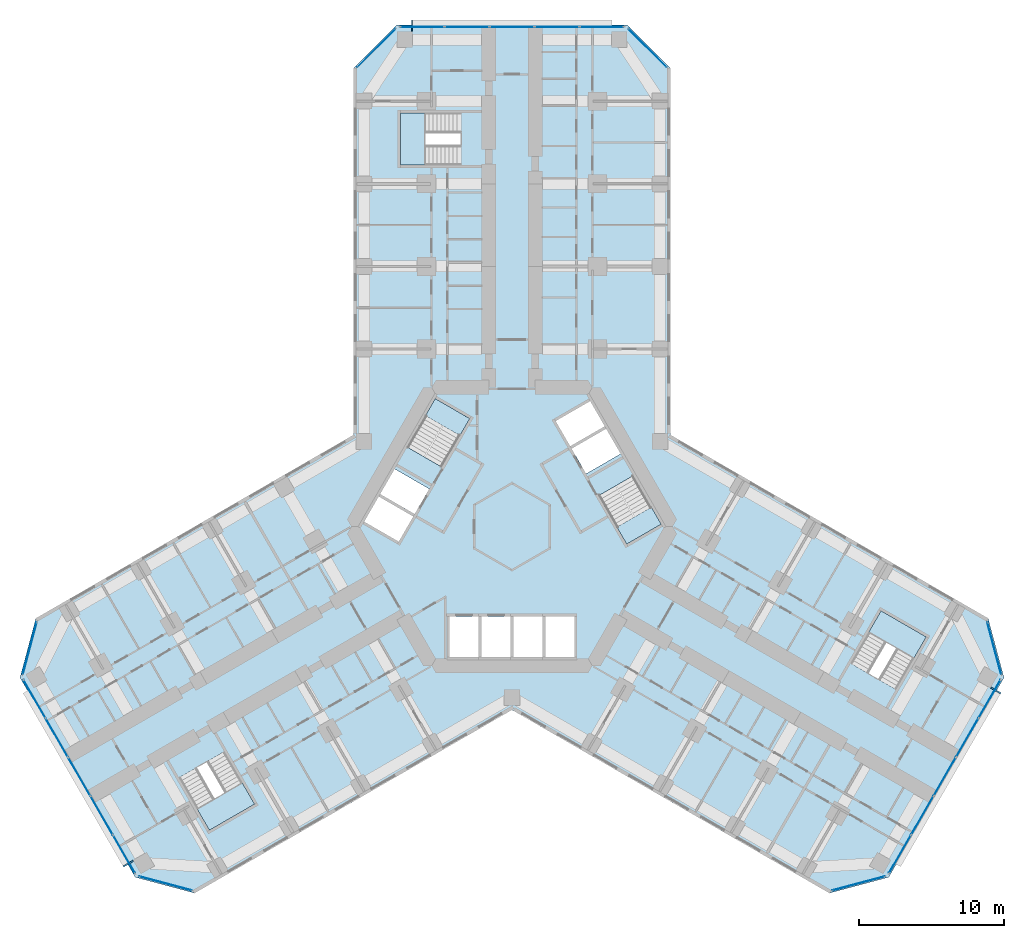
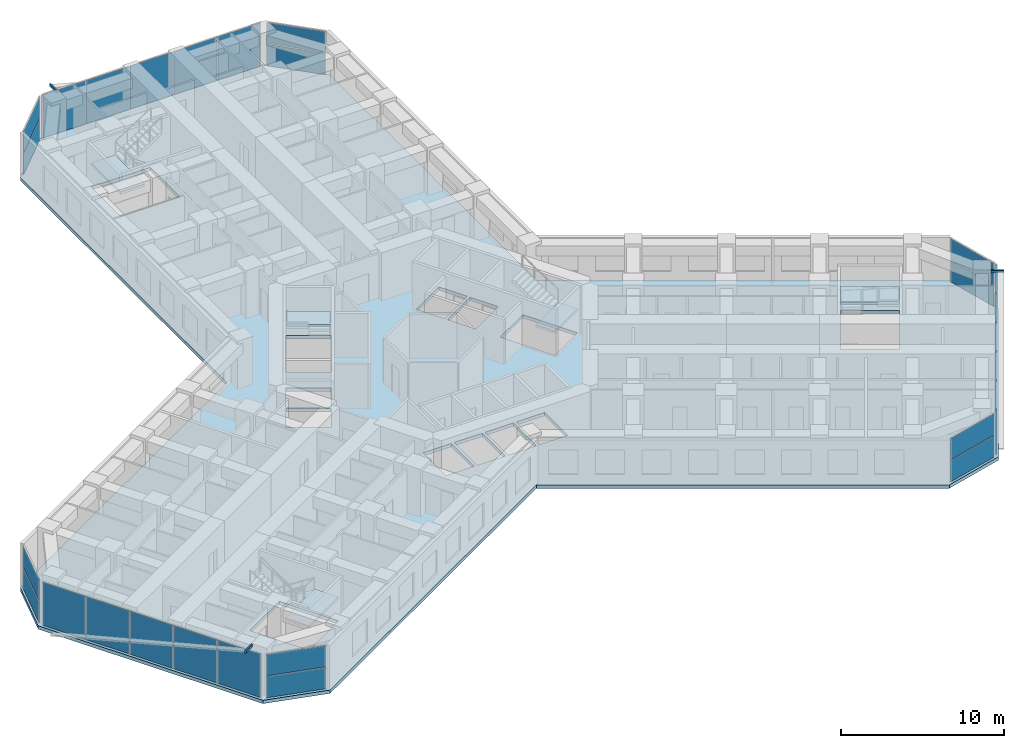
# One storey, part 9 of 21: 27 plates, 6 slabs, 3 members, 14 elements without a shape of their own.
"""IFC4 building model written with IfcOpenShell, lengths in metres."""

import ifcopenshell
import ifcopenshell.guid

model = None  # the IFC model being written
_history = None  # IfcOwnerHistory: only IFC2X3 demands one
_inside = {}  # id of a spatial element -> (the spatial element, [elements in it])
_under = {}  # id of a project, library or spatial element -> (it, [spatial elements below it])
_declared = {}  # id of a project -> (the project, [libraries it declares])
_typed = {}  # id of a type object -> (the type object, [elements of that type])
_made_of = {}  # id of a material, layer set ... -> (it, [elements and type objects made of it])


def new_model(schema):
    """Start an empty IFC model of exactly this schema.

    Asked for "IFC4X3", IfcOpenShell would pick the latest addendum, in which some entities
    have other attributes; the version numbers below select the first issue.
    IFC2X3 requires an IfcOwnerHistory on every rooted entity: one is made here for all.
    """
    global model, _history
    if schema == "IFC4X3":
        model = ifcopenshell.file(schema_version=(4, 3, 0, 0))
    else:
        model = ifcopenshell.file(schema=schema)
    _inside.clear()
    _under.clear()
    _declared.clear()
    _typed.clear()
    _made_of.clear()
    _history = None
    if model.schema == "IFC2X3":
        org = make("IfcOrganization", Name="unknown")
        user = make(
            "IfcPersonAndOrganization",
            ThePerson=make("IfcPerson", FamilyName="unknown"),
            TheOrganization=org,
        )
        app = make(
            "IfcApplication",
            ApplicationDeveloper=org,
            Version="unknown",
            ApplicationFullName="unknown",
            ApplicationIdentifier="unknown",
        )
        _history = make(
            "IfcOwnerHistory",
            OwningUser=user,
            OwningApplication=app,
            ChangeAction="ADDED",
            CreationDate=0,
        )
    return model


def make(cls, **values):
    """One entity of the class cls with the attributes given. An attribute that is None is left unset."""
    return model.create_entity(
        cls, **{name: value for name, value in values.items() if value is not None}
    )


def rooted(cls, **values):
    """An entity with a GlobalId (a new one), such as an element, a storey or a relation."""
    return make(cls, GlobalId=ifcopenshell.guid.new(), OwnerHistory=_history, **values)


def si_unit(unit_type, name, prefix=None):
    """IfcSIUnit, for example si_unit("LENGTHUNIT", "METRE", prefix="MILLI")."""
    return make("IfcSIUnit", UnitType=unit_type, Prefix=prefix, Name=name)


def assignment(units):
    """IfcUnitAssignment: the units of a project."""
    return None if units is None else make("IfcUnitAssignment", Units=units)


def point(xyz):
    """IfcCartesianPoint."""
    return None if xyz is None else make("IfcCartesianPoint", Coordinates=xyz)


def direction(xyz):
    """IfcDirection."""
    return None if xyz is None else make("IfcDirection", DirectionRatios=xyz)


def frame(location, z_axis=None, x_axis=None):
    """IfcAxis2Placement3D, a coordinate frame: its origin and axes. An axis left out is left unset."""
    return make(
        "IfcAxis2Placement3D",
        Location=point(location),
        Axis=direction(z_axis),
        RefDirection=direction(x_axis),
    )


def frame_2d(location, x_axis=None):
    """IfcAxis2Placement2D, a coordinate frame in the plane: its origin and x axis."""
    return make(
        "IfcAxis2Placement2D", Location=point(location), RefDirection=direction(x_axis)
    )


def origin():
    """The frame at (0, 0, 0) with its axes left unset."""
    return frame((0.0, 0.0, 0.0))


def origin_2d():
    """The frame at (0, 0) in the plane with its x axis left unset."""
    return frame_2d((0.0, 0.0))


def place(relative_to, where):
    """IfcLocalPlacement: puts the frame where relative to a parent placement (None: the world)."""
    return make(
        "IfcLocalPlacement", PlacementRelTo=relative_to, RelativePlacement=where
    )


def context(
    kind, dimensions, precision=None, world=None, true_north=None, identifier=None
):
    """IfcGeometricRepresentationContext, for example the 3D "Model" context."""
    return make(
        "IfcGeometricRepresentationContext",
        ContextIdentifier=identifier,
        ContextType=kind,
        CoordinateSpaceDimension=dimensions,
        Precision=precision,
        WorldCoordinateSystem=world,
        TrueNorth=true_north,
    )


def subcontext(parent, identifier, kind, view, scale=None):
    """IfcGeometricRepresentationSubContext, for example "Body" below "Model"."""
    return make(
        "IfcGeometricRepresentationSubContext",
        ContextIdentifier=identifier,
        ContextType=kind,
        ParentContext=parent,
        TargetScale=scale,
        TargetView=view,
    )


def project(units=None, contexts=None):
    """IfcProject with its units and contexts."""
    return rooted(
        "IfcProject",
        Name="project",
        RepresentationContexts=contexts,
        UnitsInContext=assignment(units),
    )


def spatial(cls, under=None, at=None, **own):
    """A site, building, storey or space (cls), placed at a placement, below another one or the project."""
    s = rooted(cls, ObjectPlacement=at, **own)
    if under is not None:
        _under.setdefault(under.id(), (under, []))[1].append(s)
    return s


def polyline(points):
    """IfcPolyline through the points."""
    return make("IfcPolyline", Points=[point(p) for p in points])


def profile(cls, at=None, kind="AREA", **sizes):
    """A parametric profile (cls). Its sizes go by their IFC names, for example OverallWidth=200.0."""
    return make(cls, ProfileType=kind, Position=at, **sizes)


def rectangle(**sizes):
    """IfcRectangleProfileDef."""
    return profile("IfcRectangleProfileDef", **sizes)


def hollow_rectangle(**sizes):
    """IfcRectangleHollowProfileDef."""
    return profile("IfcRectangleHollowProfileDef", **sizes)


def outline(outer, holes=None, kind="AREA"):
    """IfcArbitraryClosedProfileDef: a profile drawn as a closed curve; with holes, ...WithVoids."""
    if holes is None:
        return make("IfcArbitraryClosedProfileDef", ProfileType=kind, OuterCurve=outer)
    return make(
        "IfcArbitraryProfileDefWithVoids",
        ProfileType=kind,
        OuterCurve=outer,
        InnerCurves=holes,
    )


def extrude(swept, where, along, depth):
    """IfcExtrudedAreaSolid: the profile swept, set in the frame where, extruded along a direction by depth."""
    return make(
        "IfcExtrudedAreaSolid",
        SweptArea=swept,
        Position=where,
        ExtrudedDirection=direction(along),
        Depth=depth,
    )


def shape(context_of_items, identifier, shape_type, items):
    """IfcShapeRepresentation: the items that make up one representation, for example the "Body"."""
    return make(
        "IfcShapeRepresentation",
        ContextOfItems=context_of_items,
        RepresentationIdentifier=identifier,
        RepresentationType=shape_type,
        Items=items,
    )


def material(Name=None, Category=None):
    """IfcMaterial."""
    return make("IfcMaterial", Name=Name, Category=Category)


def layer(
    of_material, thickness, ventilated=None, Name=None, Category=None, Priority=None
):
    """IfcMaterialLayer: one layer of a wall or slab, of a material (None: an air gap)."""
    return make(
        "IfcMaterialLayer",
        Material=of_material,
        LayerThickness=thickness,
        IsVentilated=ventilated,
        Name=Name,
        Category=Category,
        Priority=Priority,
    )


def layer_set(layers, Name=None):
    """IfcMaterialLayerSet."""
    return make("IfcMaterialLayerSet", MaterialLayers=layers, LayerSetName=Name)


def material_profile(
    of_material, cross_section, Name=None, Category=None, Priority=None
):
    """IfcMaterialProfile: a cross section and its material."""
    return make(
        "IfcMaterialProfile",
        Name=Name,
        Material=of_material,
        Profile=cross_section,
        Priority=Priority,
        Category=Category,
    )


def profile_set(profiles, Name=None, composite=None):
    """IfcMaterialProfileSet."""
    return make(
        "IfcMaterialProfileSet",
        Name=Name,
        MaterialProfiles=profiles,
        CompositeProfile=composite,
    )


def made_of(thing, what):
    """Note that an element or type object is made of a material, layer set ...; save() writes the relation."""
    if what is not None:
        _made_of.setdefault(what.id(), (what, []))[1].append(thing)
    return thing


def type_object(cls, material=None, **own):
    """A type object (cls), such as IfcWallType, which elements share."""
    return made_of(rooted(cls, **own), material)


def element(
    cls,
    number,
    at=None,
    inside=None,
    cuts=None,
    type_object=None,
    material=None,
    context=None,
    identifier="Body",
    shape_type=None,
    held_by="IfcProductDefinitionShape",
    body=None,
    shapes=None,
    **own,
):
    """One element of the class cls, such as IfcWall. Its Tag is "e" and its number.

    at: its placement. inside: the storey or other place that contains it. cuts: it is an
    opening in that element (IfcRelVoidsElement). A single representation is given by context,
    identifier, shape_type and body (its items); several are given by shapes. held_by: the class
    of the entity that holds the representations. save() writes the other relations.
    """
    e = rooted(cls, Tag="e%d" % number, ObjectPlacement=at, **own)
    if body is not None:
        shapes = [shape(context, identifier, shape_type, body)]
    if shapes is not None:
        e.Representation = make(held_by, Representations=shapes)
    if inside is not None:
        _inside.setdefault(inside.id(), (inside, []))[1].append(e)
    if cuts is not None:
        rooted(
            "IfcRelVoidsElement", RelatingBuildingElement=cuts, RelatedOpeningElement=e
        )
    if type_object is not None:
        _typed.setdefault(type_object.id(), (type_object, []))[1].append(e)
    return made_of(e, material)


def aggregate(whole, parts):
    """IfcRelAggregates: a whole, such as a stair, and the parts it consists of."""
    return rooted("IfcRelAggregates", RelatingObject=whole, RelatedObjects=parts)


def save(model, path):
    """Write the relations noted so far, then the file.

    IfcRelAggregates (storeys below a building ...), IfcRelContainedInSpatialStructure (elements
    in a storey), IfcRelDefinesByType, IfcRelAssociatesMaterial and IfcRelDeclares: one each for
    every whole, place, type object, material and project.
    """
    for whole, parts in _under.values():
        aggregate(whole, parts)
    for where, things in _inside.values():
        rooted(
            "IfcRelContainedInSpatialStructure",
            RelatedElements=things,
            RelatingStructure=where,
        )
    for kind, things in _typed.values():
        rooted("IfcRelDefinesByType", RelatedObjects=things, RelatingType=kind)
    for what, things in _made_of.values():
        rooted("IfcRelAssociatesMaterial", RelatedObjects=things, RelatingMaterial=what)
    for by, libraries in _declared.values():
        rooted("IfcRelDeclares", RelatingContext=by, RelatedDefinitions=libraries)
    model.write(path)


model = new_model("IFC4")

# Units and contexts
model_context = context("Model", 3, precision=1e-05, world=origin(), true_north=direction((0.0, 1.0)))
body_context = subcontext(model_context, "Body", "Model", "MODEL_VIEW")
ifc_project = project(units=[si_unit("LENGTHUNIT", "METRE"), si_unit("AREAUNIT", "SQUARE_METRE"), si_unit("VOLUMEUNIT", "CUBIC_METRE"), si_unit("PLANEANGLEUNIT", "RADIAN"), si_unit("MASSUNIT", "GRAM", prefix="KILO")], contexts=[model_context])

# Site, building, storey
site_placement = place(None, origin())
site = spatial("IfcSite", under=ifc_project, at=site_placement, CompositionType="ELEMENT")
building_placement = place(site_placement, origin())
building = spatial("IfcBuilding", under=site, at=building_placement, Name="Kosmar Iwan School Tower", CompositionType="ELEMENT")
storey_placement = place(building_placement, frame((0.0, 0.0, 39.39990234375)))
storey = spatial("IfcBuildingStorey", under=building, at=storey_placement, Name="L08", CompositionType="ELEMENT", Elevation=39.39990234375)

# Members
ifc_material_1 = material(Name="Steel S355", Category="steel")
ifc_material_profile = material_profile(ifc_material_1, hollow_rectangle(XDim=0.10009765625, YDim=0.199951171875, WallThickness=0.008056640625, at=origin_2d()), Name="RHS 200x100x8")
ifc_profile_set = profile_set([ifc_material_profile], Name="Steel S355")
member_type = type_object("IfcMemberType", Name="Fin bracket RHS 200x100", PredefinedType="USERDEFINED", material=ifc_profile_set)
for number, where, z_axis, x_axis, name in (
    (1, (33.02392578125, -11.10107421875, 3.47509765625), (0.866094119867, -0.499880961361, 0.0), (0.499880961361, 0.866094119867, 0.0), "Fin bracket L09"),
    (2, (-6.898193359375, 34.14990234375, 3.47509765625), (0.0, 1.0, 0.0), (-1.0, 0.0, 0.0), "Fin bracket L09"),
):
    element("IfcMember", number, at=place(storey_placement, frame(where, z_axis=z_axis, x_axis=x_axis)), inside=storey, type_object=member_type, Name=name, ObjectType="FIN BRACKET", PredefinedType="USERDEFINED", context=body_context, shape_type="SweptSolid", body=[
        extrude(hollow_rectangle(XDim=0.10009765625, YDim=0.199951171875, WallThickness=0.008056640625, at=origin_2d()), origin(), (0.0, 0.0, 1.0), 0.800048828125),
    ])
member_placement = place(storey_placement, frame((-26.125732421875, -23.049072265625, 3.47509765625), z_axis=(-0.866017831539, -0.500013115284, 0.0), x_axis=(0.500013115284, -0.866017831539, 0.0)))
element("IfcMember", 3, at=member_placement, inside=storey, type_object=member_type, Name="Fin bracket L09", ObjectType="FIN BRACKET", PredefinedType="USERDEFINED", context=body_context, shape_type="SweptSolid", body=[
    extrude(hollow_rectangle(XDim=0.10009765625, YDim=0.199951171875, WallThickness=0.008056640625, at=origin_2d()), origin(), (0.0, 0.0, 1.0), 0.7998046875),
])

# Curtain wall, plates
ifc_material_2 = material(Name="Dark glass in black aluminium frame", Category="aluminium")
curtain_wall_type_1 = type_object("IfcCurtainWallType", Name="Chamfer curtain wall dark glass", PredefinedType="USERDEFINED", material=ifc_material_2)
curtain_wall_1_placement = place(storey_placement, origin())
curtain_wall_1 = element("IfcCurtainWall", 4, at=curtain_wall_1_placement, inside=storey, type_object=curtain_wall_type_1, Name="Curtain wall L08-F02", ObjectType="FACETED CURTAIN WALL", PredefinedType="USERDEFINED")
ifc_material_3 = material(Name="Dark glass", Category="glass")
ifc_layer_1 = layer(ifc_material_3, 0.028076171875)
ifc_layer_set_1 = layer_set([ifc_layer_1], Name="Dark glass panel 28")
plate_type = type_object("IfcPlateType", Name="Dark glass panel 28", PredefinedType="CURTAIN_PANEL", material=ifc_layer_set_1)
plate_1_placement = place(storey_placement, frame((23.908203125, -24.61328125, 0.06005859375), z_axis=(0.0, 0.0, 1.0), x_axis=(0.965925875495, 0.258818861462, 0.0)))
plate_1 = element("IfcPlate", 5, at=plate_1_placement, type_object=plate_type, Name="CW2 panel 1.1", PredefinedType="CURTAIN_PANEL", context=body_context, shape_type="SweptSolid", body=[
    extrude(rectangle(XDim=3.718994140625, YDim=0.028076171875, at=origin_2d()), origin(), (0.0, 0.0, 1.0), 1.5849609375),
])
plate_2_placement = place(storey_placement, frame((23.908203125, -24.61328125, 1.705078125), z_axis=(0.0, 0.0, 1.0), x_axis=(0.965925875495, 0.258818861462, 0.0)))
plate_2 = element("IfcPlate", 6, at=plate_2_placement, type_object=plate_type, Name="CW2 panel 1.2", PredefinedType="CURTAIN_PANEL", context=body_context, shape_type="SweptSolid", body=[
    extrude(rectangle(XDim=3.718994140625, YDim=0.028076171875, at=origin_2d()), origin(), (0.0, 0.0, 1.0), 1.5849609375),
])
aggregate(curtain_wall_1, [plate_1, plate_2])

ifc_material_4 = material(Name="Dark glass in black aluminium frame", Category="aluminium")
curtain_wall_type_2 = type_object("IfcCurtainWallType", Name="Tower curtain wall dark glass", PredefinedType="USERDEFINED", material=ifc_material_4)
curtain_wall_2_placement = place(storey_placement, origin())
curtain_wall_2 = element("IfcCurtainWall", 7, at=curtain_wall_2_placement, inside=storey, type_object=curtain_wall_type_2, Name="Curtain wall L08-F03", ObjectType="UNITISED CURTAIN WALL", PredefinedType="USERDEFINED")
plate_3_placement = place(storey_placement, frame((26.764404296875, -22.592529296875, 0.06005859375), z_axis=(0.0, 0.0, 1.0), x_axis=(0.499999997325, 0.866025405329, 0.0)))
plate_3 = element("IfcPlate", 8, at=plate_3_placement, type_object=plate_type, Name="CW1 panel 1.1", PredefinedType="CURTAIN_PANEL", context=body_context, shape_type="SweptSolid", body=[
    extrude(rectangle(XDim=3.00927734375, YDim=0.028076171875, at=origin_2d()), origin(), (0.0, 0.0, 1.0), 3.22998046875),
])
plate_4_placement = place(storey_placement, frame((28.306640625, -19.921630859375, 0.06005859375), z_axis=(0.0, 0.0, 1.0), x_axis=(0.499999997325, 0.866025405329, 0.0)))
plate_4 = element("IfcPlate", 9, at=plate_4_placement, type_object=plate_type, Name="CW1 panel 2.1", PredefinedType="CURTAIN_PANEL", context=body_context, shape_type="SweptSolid", body=[
    extrude(rectangle(XDim=3.039306640625, YDim=0.028076171875, at=origin_2d()), origin(), (0.0, 0.0, 1.0), 3.22998046875),
])
plate_5_placement = place(storey_placement, frame((29.856201171875, -17.237548828125, 0.06005859375), z_axis=(0.0, 0.0, 1.0), x_axis=(0.499999997325, 0.866025405329, 0.0)))
plate_5 = element("IfcPlate", 10, at=plate_5_placement, type_object=plate_type, Name="CW1 panel 3.1", PredefinedType="CURTAIN_PANEL", context=body_context, shape_type="SweptSolid", body=[
    extrude(rectangle(XDim=3.039306640625, YDim=0.028076171875, at=origin_2d()), origin(), (0.0, 0.0, 1.0), 3.22998046875),
])
plate_6_placement = place(storey_placement, frame((31.40576171875, -14.553466796875, 0.06005859375), z_axis=(0.0, 0.0, 1.0), x_axis=(0.499999997325, 0.866025405329, 0.0)))
plate_6 = element("IfcPlate", 11, at=plate_6_placement, type_object=plate_type, Name="CW1 panel 4.1", PredefinedType="CURTAIN_PANEL", context=body_context, shape_type="SweptSolid", body=[
    extrude(rectangle(XDim=3.039306640625, YDim=0.028076171875, at=origin_2d()), origin(), (0.0, 0.0, 1.0), 3.22998046875),
])
plate_7_placement = place(storey_placement, frame((32.947998046875, -11.88232421875, 0.06005859375), z_axis=(0.0, 0.0, 1.0), x_axis=(0.499999997325, 0.866025405329, 0.0)))
plate_7 = element("IfcPlate", 12, at=plate_7_placement, type_object=plate_type, Name="CW1 panel 5.1", PredefinedType="CURTAIN_PANEL", context=body_context, shape_type="SweptSolid", body=[
    extrude(rectangle(XDim=3.00927734375, YDim=0.028076171875, at=origin_2d()), origin(), (0.0, 0.0, 1.0), 3.22998046875),
])
aggregate(curtain_wall_2, [plate_3, plate_4, plate_5, plate_6, plate_7])

curtain_wall_3_placement = place(storey_placement, origin())
curtain_wall_3 = element("IfcCurtainWall", 13, at=curtain_wall_3_placement, inside=storey, type_object=curtain_wall_type_1, Name="Curtain wall L08-F04", ObjectType="FACETED CURTAIN WALL", PredefinedType="USERDEFINED")
plate_8_placement = place(storey_placement, frame((33.269775390625, -8.3984375, 0.06005859375), z_axis=(0.0, 0.0, 1.0), x_axis=(-0.258818861462, 0.965925875495, 0.0)))
plate_8 = element("IfcPlate", 14, at=plate_8_placement, type_object=plate_type, Name="CW2 panel 1.1", PredefinedType="CURTAIN_PANEL", context=body_context, shape_type="SweptSolid", body=[
    extrude(rectangle(XDim=3.718994140625, YDim=0.028076171875, at=origin_2d()), origin(), (0.0, 0.0, 1.0), 1.5849609375),
])
plate_9_placement = place(storey_placement, frame((33.269775390625, -8.3984375, 1.705078125), z_axis=(0.0, 0.0, 1.0), x_axis=(-0.258818861462, 0.965925875495, 0.0)))
plate_9 = element("IfcPlate", 15, at=plate_9_placement, type_object=plate_type, Name="CW2 panel 1.2", PredefinedType="CURTAIN_PANEL", context=body_context, shape_type="SweptSolid", body=[
    extrude(rectangle(XDim=3.718994140625, YDim=0.028076171875, at=origin_2d()), origin(), (0.0, 0.0, 1.0), 1.5849609375),
])
aggregate(curtain_wall_3, [plate_8, plate_9])

curtain_wall_4_placement = place(storey_placement, origin())
curtain_wall_4 = element("IfcCurtainWall", 16, at=curtain_wall_4_placement, inside=storey, type_object=curtain_wall_type_1, Name="Curtain wall L08-F07", ObjectType="FACETED CURTAIN WALL", PredefinedType="USERDEFINED")
plate_10_placement = place(storey_placement, frame((9.361572265625, 33.01171875, 0.06005859375), z_axis=(0.0, 0.0, 1.0), x_axis=(-0.707106781187, 0.707106781187, 0.0)))
plate_10 = element("IfcPlate", 17, at=plate_10_placement, type_object=plate_type, Name="CW2 panel 1.1", PredefinedType="CURTAIN_PANEL", context=body_context, shape_type="SweptSolid", body=[
    extrude(rectangle(XDim=3.718994140625, YDim=0.028076171875, at=origin_2d()), origin(), (0.0, 0.0, 1.0), 1.5849609375),
])
plate_11_placement = place(storey_placement, frame((9.361572265625, 33.01171875, 1.705078125), z_axis=(0.0, 0.0, 1.0), x_axis=(-0.707106781187, 0.707106781187, 0.0)))
plate_11 = element("IfcPlate", 18, at=plate_11_placement, type_object=plate_type, Name="CW2 panel 1.2", PredefinedType="CURTAIN_PANEL", context=body_context, shape_type="SweptSolid", body=[
    extrude(rectangle(XDim=3.718994140625, YDim=0.028076171875, at=origin_2d()), origin(), (0.0, 0.0, 1.0), 1.5849609375),
])
aggregate(curtain_wall_4, [plate_10, plate_11])

curtain_wall_5_placement = place(storey_placement, origin())
curtain_wall_5 = element("IfcCurtainWall", 19, at=curtain_wall_5_placement, inside=storey, type_object=curtain_wall_type_2, Name="Curtain wall L08-F08", ObjectType="UNITISED CURTAIN WALL", PredefinedType="USERDEFINED")
plate_12_placement = place(storey_placement, frame((6.18359375, 34.47509765625, 0.06005859375), z_axis=(0.0, 0.0, 1.0), x_axis=(-1.0, 0.0, 0.0)))
plate_12 = element("IfcPlate", 20, at=plate_12_placement, type_object=plate_type, Name="CW1 panel 1.1", PredefinedType="CURTAIN_PANEL", context=body_context, shape_type="SweptSolid", body=[
    extrude(rectangle(XDim=3.00927734375, YDim=0.028076171875, at=origin_2d()), origin(), (0.0, 0.0, 1.0), 3.22998046875),
])
plate_13_placement = place(storey_placement, frame((3.099365234375, 34.47509765625, 0.06005859375), z_axis=(0.0, 0.0, 1.0), x_axis=(-1.0, 0.0, 0.0)))
plate_13 = element("IfcPlate", 21, at=plate_13_placement, type_object=plate_type, Name="CW1 panel 2.1", PredefinedType="CURTAIN_PANEL", context=body_context, shape_type="SweptSolid", body=[
    extrude(rectangle(XDim=3.039306640625, YDim=0.028076171875, at=origin_2d()), origin(), (0.0, 0.0, 1.0), 3.22998046875),
])
plate_14_placement = place(storey_placement, frame((0.0, 34.47509765625, 0.06005859375), z_axis=(0.0, 0.0, 1.0), x_axis=(-1.0, 0.0, 0.0)))
plate_14 = element("IfcPlate", 22, at=plate_14_placement, type_object=plate_type, Name="CW1 panel 3.1", PredefinedType="CURTAIN_PANEL", context=body_context, shape_type="SweptSolid", body=[
    extrude(rectangle(XDim=3.039306640625, YDim=0.028076171875, at=origin_2d()), origin(), (0.0, 0.0, 1.0), 3.22998046875),
])
plate_15_placement = place(storey_placement, frame((-3.099365234375, 34.47509765625, 0.06005859375), z_axis=(0.0, 0.0, 1.0), x_axis=(-1.0, 0.0, 0.0)))
plate_15 = element("IfcPlate", 23, at=plate_15_placement, type_object=plate_type, Name="CW1 panel 4.1", PredefinedType="CURTAIN_PANEL", context=body_context, shape_type="SweptSolid", body=[
    extrude(rectangle(XDim=3.039306640625, YDim=0.028076171875, at=origin_2d()), origin(), (0.0, 0.0, 1.0), 3.22998046875),
])
plate_16_placement = place(storey_placement, frame((-6.18359375, 34.47509765625, 0.06005859375), z_axis=(0.0, 0.0, 1.0), x_axis=(-1.0, 0.0, 0.0)))
plate_16 = element("IfcPlate", 24, at=plate_16_placement, type_object=plate_type, Name="CW1 panel 5.1", PredefinedType="CURTAIN_PANEL", context=body_context, shape_type="SweptSolid", body=[
    extrude(rectangle(XDim=3.00927734375, YDim=0.028076171875, at=origin_2d()), origin(), (0.0, 0.0, 1.0), 3.22998046875),
])
aggregate(curtain_wall_5, [plate_12, plate_13, plate_14, plate_15, plate_16])

curtain_wall_6_placement = place(storey_placement, origin())
curtain_wall_6 = element("IfcCurtainWall", 25, at=curtain_wall_6_placement, inside=storey, type_object=curtain_wall_type_1, Name="Curtain wall L08-F09", ObjectType="FACETED CURTAIN WALL", PredefinedType="USERDEFINED")
plate_17_placement = place(storey_placement, frame((-9.361572265625, 33.01171875, 0.06005859375), z_axis=(0.0, 0.0, 1.0), x_axis=(-0.707106781187, -0.707106781187, 0.0)))
plate_17 = element("IfcPlate", 26, at=plate_17_placement, type_object=plate_type, Name="CW2 panel 1.1", PredefinedType="CURTAIN_PANEL", context=body_context, shape_type="SweptSolid", body=[
    extrude(rectangle(XDim=3.718994140625, YDim=0.028076171875, at=origin_2d()), origin(), (0.0, 0.0, 1.0), 1.5849609375),
])
plate_18_placement = place(storey_placement, frame((-9.361572265625, 33.01171875, 1.705078125), z_axis=(0.0, 0.0, 1.0), x_axis=(-0.707106781187, -0.707106781187, 0.0)))
plate_18 = element("IfcPlate", 27, at=plate_18_placement, type_object=plate_type, Name="CW2 panel 1.2", PredefinedType="CURTAIN_PANEL", context=body_context, shape_type="SweptSolid", body=[
    extrude(rectangle(XDim=3.718994140625, YDim=0.028076171875, at=origin_2d()), origin(), (0.0, 0.0, 1.0), 1.5849609375),
])
aggregate(curtain_wall_6, [plate_17, plate_18])

curtain_wall_7_placement = place(storey_placement, origin())
curtain_wall_7 = element("IfcCurtainWall", 28, at=curtain_wall_7_placement, inside=storey, type_object=curtain_wall_type_1, Name="Curtain wall L08-F12", ObjectType="FACETED CURTAIN WALL", PredefinedType="USERDEFINED")
plate_19_placement = place(storey_placement, frame((-33.269775390625, -8.3984375, 0.06005859375), z_axis=(0.0, 0.0, 1.0), x_axis=(-0.258818861462, -0.965925875495, 0.0)))
plate_19 = element("IfcPlate", 29, at=plate_19_placement, type_object=plate_type, Name="CW2 panel 1.1", PredefinedType="CURTAIN_PANEL", context=body_context, shape_type="SweptSolid", body=[
    extrude(rectangle(XDim=3.718994140625, YDim=0.028076171875, at=origin_2d()), origin(), (0.0, 0.0, 1.0), 1.5849609375),
])
plate_20_placement = place(storey_placement, frame((-33.269775390625, -8.3984375, 1.705078125), z_axis=(0.0, 0.0, 1.0), x_axis=(-0.258818861462, -0.965925875495, 0.0)))
plate_20 = element("IfcPlate", 30, at=plate_20_placement, type_object=plate_type, Name="CW2 panel 1.2", PredefinedType="CURTAIN_PANEL", context=body_context, shape_type="SweptSolid", body=[
    extrude(rectangle(XDim=3.718994140625, YDim=0.028076171875, at=origin_2d()), origin(), (0.0, 0.0, 1.0), 1.5849609375),
])
aggregate(curtain_wall_7, [plate_19, plate_20])

curtain_wall_8_placement = place(storey_placement, origin())
curtain_wall_8 = element("IfcCurtainWall", 31, at=curtain_wall_8_placement, inside=storey, type_object=curtain_wall_type_2, Name="Curtain wall L08-F13", ObjectType="UNITISED CURTAIN WALL", PredefinedType="USERDEFINED")
plate_21_placement = place(storey_placement, frame((-32.947998046875, -11.88232421875, 0.06005859375), z_axis=(0.0, 0.0, 1.0), x_axis=(0.499999997325, -0.866025405329, 0.0)))
plate_21 = element("IfcPlate", 32, at=plate_21_placement, type_object=plate_type, Name="CW1 panel 1.1", PredefinedType="CURTAIN_PANEL", context=body_context, shape_type="SweptSolid", body=[
    extrude(rectangle(XDim=3.00927734375, YDim=0.028076171875, at=origin_2d()), origin(), (0.0, 0.0, 1.0), 3.22998046875),
])
plate_22_placement = place(storey_placement, frame((-31.40576171875, -14.553466796875, 0.06005859375), z_axis=(0.0, 0.0, 1.0), x_axis=(0.499999997325, -0.866025405329, 0.0)))
plate_22 = element("IfcPlate", 33, at=plate_22_placement, type_object=plate_type, Name="CW1 panel 2.1", PredefinedType="CURTAIN_PANEL", context=body_context, shape_type="SweptSolid", body=[
    extrude(rectangle(XDim=3.039306640625, YDim=0.028076171875, at=origin_2d()), origin(), (0.0, 0.0, 1.0), 3.22998046875),
])
plate_23_placement = place(storey_placement, frame((-29.856201171875, -17.237548828125, 0.06005859375), z_axis=(0.0, 0.0, 1.0), x_axis=(0.499999997325, -0.866025405329, 0.0)))
plate_23 = element("IfcPlate", 34, at=plate_23_placement, type_object=plate_type, Name="CW1 panel 3.1", PredefinedType="CURTAIN_PANEL", context=body_context, shape_type="SweptSolid", body=[
    extrude(rectangle(XDim=3.039306640625, YDim=0.028076171875, at=origin_2d()), origin(), (0.0, 0.0, 1.0), 3.22998046875),
])
plate_24_placement = place(storey_placement, frame((-28.306640625, -19.921630859375, 0.06005859375), z_axis=(0.0, 0.0, 1.0), x_axis=(0.499999997325, -0.866025405329, 0.0)))
plate_24 = element("IfcPlate", 35, at=plate_24_placement, type_object=plate_type, Name="CW1 panel 4.1", PredefinedType="CURTAIN_PANEL", context=body_context, shape_type="SweptSolid", body=[
    extrude(rectangle(XDim=3.039306640625, YDim=0.028076171875, at=origin_2d()), origin(), (0.0, 0.0, 1.0), 3.22998046875),
])
plate_25_placement = place(storey_placement, frame((-26.764404296875, -22.592529296875, 0.06005859375), z_axis=(0.0, 0.0, 1.0), x_axis=(0.499999997325, -0.866025405329, 0.0)))
plate_25 = element("IfcPlate", 36, at=plate_25_placement, type_object=plate_type, Name="CW1 panel 5.1", PredefinedType="CURTAIN_PANEL", context=body_context, shape_type="SweptSolid", body=[
    extrude(rectangle(XDim=3.00927734375, YDim=0.028076171875, at=origin_2d()), origin(), (0.0, 0.0, 1.0), 3.22998046875),
])
aggregate(curtain_wall_8, [plate_21, plate_22, plate_23, plate_24, plate_25])

curtain_wall_9_placement = place(storey_placement, origin())
curtain_wall_9 = element("IfcCurtainWall", 37, at=curtain_wall_9_placement, inside=storey, type_object=curtain_wall_type_1, Name="Curtain wall L08-F14", ObjectType="FACETED CURTAIN WALL", PredefinedType="USERDEFINED")
plate_26_placement = place(storey_placement, frame((-23.908203125, -24.61328125, 0.06005859375), z_axis=(0.0, 0.0, 1.0), x_axis=(0.965925875495, -0.258818861462, 0.0)))
plate_26 = element("IfcPlate", 38, at=plate_26_placement, type_object=plate_type, Name="CW2 panel 1.1", PredefinedType="CURTAIN_PANEL", context=body_context, shape_type="SweptSolid", body=[
    extrude(rectangle(XDim=3.718994140625, YDim=0.028076171875, at=origin_2d()), origin(), (0.0, 0.0, 1.0), 1.5849609375),
])
plate_27_placement = place(storey_placement, frame((-23.908203125, -24.61328125, 1.705078125), z_axis=(0.0, 0.0, 1.0), x_axis=(0.965925875495, -0.258818861462, 0.0)))
plate_27 = element("IfcPlate", 39, at=plate_27_placement, type_object=plate_type, Name="CW2 panel 1.2", PredefinedType="CURTAIN_PANEL", context=body_context, shape_type="SweptSolid", body=[
    extrude(rectangle(XDim=3.718994140625, YDim=0.028076171875, at=origin_2d()), origin(), (0.0, 0.0, 1.0), 1.5849609375),
])
aggregate(curtain_wall_9, [plate_26, plate_27])

# Stair, slab
ifc_material_5 = material(Name="Concrete C35/45", Category="concrete")
stair_type_1 = type_object("IfcStairType", Name="Escape stair 3600", PredefinedType="HALF_TURN_STAIR", material=ifc_material_5)
stair_1_placement = place(storey_placement, origin())
stair_1 = element("IfcStair", 40, at=stair_1_placement, inside=storey, type_object=stair_type_1, Name="Stair WS1 L08", PredefinedType="HALF_TURN_STAIR")
ifc_material_6 = material(Name="Concrete C35/45", Category="concrete")
ifc_layer_2 = layer(ifc_material_6, 0.199951171875)
ifc_layer_set_2 = layer_set([ifc_layer_2], Name="Escape stair landing 200")
slab_type_1 = type_object("IfcSlabType", Name="Escape stair landing 200", PredefinedType="LANDING", material=ifc_layer_set_2)
slab_1_placement = place(storey_placement, frame((0.0, 0.0, 1.60009765625)))
slab_1 = element("IfcSlab", 41, at=slab_1_placement, type_object=slab_type_1, Name="WS1 landing 1", PredefinedType="LANDING", context=body_context, shape_type="SweptSolid", body=[
    extrude(outline(polyline([(-6.0, 24.949951171875), (-6.0, 28.550048828125), (-7.699951171875, 28.550048828125), (-7.699951171875, 24.949951171875), (-6.0, 24.949951171875)])), origin(), (0.0, 0.0, 1.0), 0.199951171875),
])
aggregate(stair_1, [slab_1])

stair_2_placement = place(storey_placement, origin())
stair_2 = element("IfcStair", 42, at=stair_2_placement, inside=storey, type_object=stair_type_1, Name="Stair WS2 L08", PredefinedType="HALF_TURN_STAIR")
slab_2_placement = place(storey_placement, frame((0.0, 0.0, 1.60009765625)))
slab_2 = element("IfcSlab", 43, at=slab_2_placement, type_object=slab_type_1, Name="WS2 landing 1", PredefinedType="LANDING", context=body_context, shape_type="SweptSolid", body=[
    extrude(outline(polyline([(-18.607421875, -17.671142578125), (-21.72509765625, -19.47119140625), (-20.875, -20.943359375), (-17.75732421875, -19.143310546875), (-18.607421875, -17.671142578125)])), origin(), (0.0, 0.0, 1.0), 0.199951171875),
])
aggregate(stair_2, [slab_2])

stair_3_placement = place(storey_placement, origin())
stair_3 = element("IfcStair", 44, at=stair_3_placement, inside=storey, type_object=stair_type_1, Name="Stair WS3 L08", PredefinedType="HALF_TURN_STAIR")
slab_3_placement = place(storey_placement, frame((0.0, 0.0, 1.60009765625)))
slab_3 = element("IfcSlab", 45, at=slab_3_placement, type_object=slab_type_1, Name="WS3 landing 1", PredefinedType="LANDING", context=body_context, shape_type="SweptSolid", body=[
    extrude(outline(polyline([(24.607421875, -7.27880859375), (27.72509765625, -9.078857421875), (28.574951171875, -7.606689453125), (25.457275390625, -5.806640625), (24.607421875, -7.27880859375)])), origin(), (0.0, 0.0, 1.0), 0.199951171875),
])
aggregate(stair_3, [slab_3])

# Slab
ifc_material_7 = material(Name="Concrete C35/45", Category="concrete")
ifc_layer_3 = layer(ifc_material_7, 0.25)
ifc_layer_set_3 = layer_set([ifc_layer_3], Name="Floor slab 250")
slab_type_2 = type_object("IfcSlabType", Name="Floor slab 250", PredefinedType="FLOOR", material=ifc_layer_set_3)
slab_4_placement = place(storey_placement, frame((0.0, 0.0, -0.25)))
element("IfcSlab", 46, at=slab_4_placement, inside=storey, type_object=slab_type_2, Name="L08 floor slab", PredefinedType="FLOOR", context=body_context, shape_type="SweptSolid", body=[
    extrude(outline(polyline([(-21.891357421875, -25.282958984375), (0.0, -12.64404296875), (21.891357421875, -25.282958984375), (25.989501953125, -24.184814453125), (33.939453125, -10.4150390625), (32.84130859375, -6.317138671875), (10.949951171875, 6.322021484375), (10.949951171875, 31.60009765625), (7.949951171875, 34.60009765625), (-7.949951171875, 34.60009765625), (-10.949951171875, 31.60009765625), (-10.949951171875, 6.322021484375), (-32.84130859375, -6.317138671875), (-33.939453125, -10.4150390625), (-25.989501953125, -24.184814453125), (-21.891357421875, -25.282958984375)]), holes=[polyline([(7.91259765625, -1.205078125), (10.294189453125, 0.169921875), (8.3642578125, 3.5126953125), (5.982666015625, 2.1376953125), (7.91259765625, -1.205078125)]), polyline([(-2.91259765625, 7.455078125), (-5.294189453125, 8.830078125), (-7.22412109375, 5.4873046875), (-4.8427734375, 4.1123046875), (-2.91259765625, 7.455078125)]), polyline([(-5.712646484375, 2.60546875), (-8.09423828125, 3.98046875), (-9.09423828125, 2.248291015625), (-6.712646484375, 0.873291015625), (-5.712646484375, 2.60546875)]), polyline([(-6.812744140625, 0.7001953125), (-9.1943359375, 2.0751953125), (-10.1943359375, 0.343017578125), (-7.812744140625, -1.031982421875), (-6.812744140625, 0.7001953125)]), polyline([(5.112548828125, 3.64453125), (7.494140625, 5.01953125), (6.494140625, 6.751708984375), (4.112548828125, 5.376708984375), (5.112548828125, 3.64453125)]), polyline([(4.0126953125, 5.5498046875), (6.394287109375, 6.9248046875), (5.394287109375, 8.656982421875), (3.0126953125, 7.281982421875), (4.0126953125, 5.5498046875)]), polyline([(-4.300048828125, -6.199951171875), (-4.300048828125, -9.0), (-2.300048828125, -9.0), (-2.300048828125, -6.199951171875), (-4.300048828125, -6.199951171875)]), polyline([(-2.10009765625, -6.199951171875), (-2.10009765625, -9.0), (-0.10009765625, -9.0), (-0.10009765625, -6.199951171875), (-2.10009765625, -6.199951171875)]), polyline([(0.10009765625, -6.199951171875), (0.10009765625, -9.0), (2.10009765625, -9.0), (2.10009765625, -6.199951171875), (0.10009765625, -6.199951171875)]), polyline([(2.300048828125, -6.199951171875), (2.300048828125, -9.0), (4.300048828125, -9.0), (4.300048828125, -6.199951171875), (2.300048828125, -6.199951171875)]), polyline([(-3.52001953125, 24.949951171875), (-3.52001953125, 28.550048828125), (-7.699951171875, 28.550048828125), (-7.699951171875, 24.949951171875), (-3.52001953125, 24.949951171875)]), polyline([(-19.847412109375, -15.5234375), (-22.965087890625, -17.323486328125), (-20.875, -20.943359375), (-17.75732421875, -19.143310546875), (-19.847412109375, -15.5234375)]), polyline([(23.367431640625, -9.426513671875), (26.485107421875, -11.2265625), (28.574951171875, -7.606689453125), (25.457275390625, -5.806640625), (23.367431640625, -9.426513671875)])]), origin(), (0.0, 0.0, 1.0), 0.25),
])

# Stair, slab
ifc_material_8 = material(Name="Concrete C35/45", Category="concrete")
stair_type_2 = type_object("IfcStairType", Name="Core stair 2750", PredefinedType="HALF_TURN_STAIR", material=ifc_material_8)
stair_4_placement = place(storey_placement, origin())
stair_4 = element("IfcStair", 47, at=stair_4_placement, inside=storey, type_object=stair_type_2, Name="Stair ST2 L08", PredefinedType="HALF_TURN_STAIR")
ifc_material_9 = material(Name="Concrete C35/45", Category="concrete")
ifc_layer_4 = layer(ifc_material_9, 0.199951171875)
ifc_layer_set_4 = layer_set([ifc_layer_4], Name="Stair landing 200")
slab_type_3 = type_object("IfcSlabType", Name="Stair landing 200", PredefinedType="LANDING", material=ifc_layer_set_4)
slab_5_placement = place(storey_placement, frame((0.0, 0.0, 1.60009765625)))
slab_5 = element("IfcSlab", 48, at=slab_5_placement, type_object=slab_type_3, Name="ST2 landing 1", PredefinedType="LANDING", context=body_context, shape_type="SweptSolid", body=[
    extrude(outline(polyline([(-2.91259765625, 7.455078125), (-5.294189453125, 8.830078125), (-5.97412109375, 7.65234375), (-3.5927734375, 6.27734375), (-2.91259765625, 7.455078125)])), origin(), (0.0, 0.0, 1.0), 0.199951171875),
])
aggregate(stair_4, [slab_5])

stair_5_placement = place(storey_placement, origin())
stair_5 = element("IfcStair", 49, at=stair_5_placement, inside=storey, type_object=stair_type_2, Name="Stair ST1 L08", PredefinedType="HALF_TURN_STAIR")
slab_6_placement = place(storey_placement, frame((0.0, 0.0, 1.60009765625)))
slab_6 = element("IfcSlab", 50, at=slab_6_placement, type_object=slab_type_3, Name="ST1 landing 1", PredefinedType="LANDING", context=body_context, shape_type="SweptSolid", body=[
    extrude(outline(polyline([(7.91259765625, -1.205078125), (10.294189453125, 0.169921875), (9.6142578125, 1.34765625), (7.232666015625, -0.02734375), (7.91259765625, -1.205078125)])), origin(), (0.0, 0.0, 1.0), 0.199951171875),
])
aggregate(stair_5, [slab_6])

save(model, "model.ifc")
